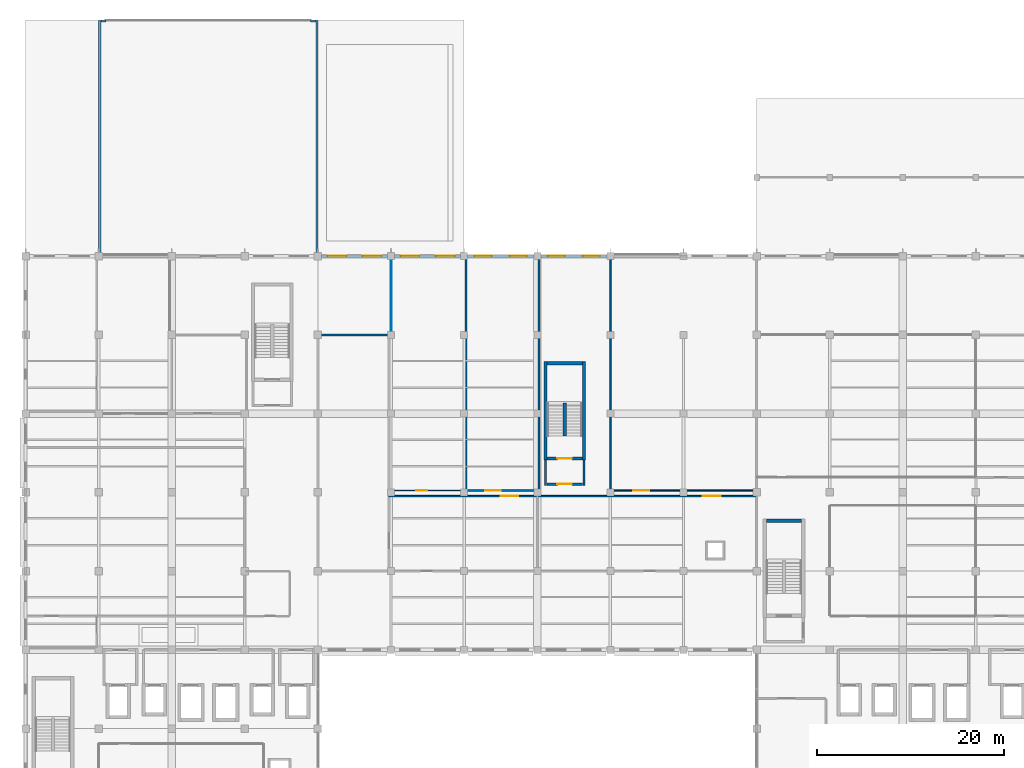
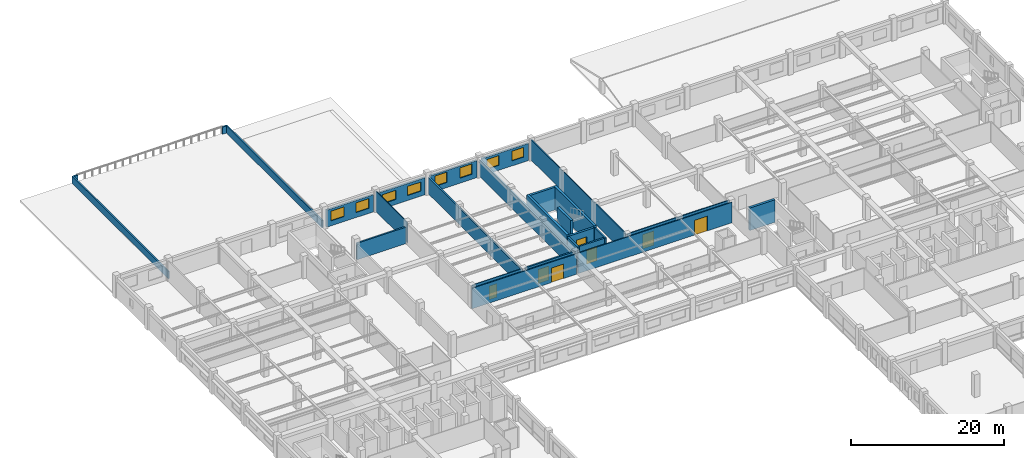
# One storey, part 44 of 50: 27 walls, 8 windows, 7 doors, 15 openings.
"""IFC4 building model written with IfcOpenShell, lengths in metres."""

from ifc_helpers import new_model, si_unit, direction, frame, frame_2d, origin, place, context, subcontext, project, spatial, rectangle, extrude, material, layer, layer_set, type_object, element, fill, save


model = new_model("IFC4")

# Units and contexts
model_context = context("Model", 3, precision=1e-05, world=origin(), true_north=direction((0.0, 1.0)))
body_context = subcontext(model_context, "Body", "Model", "MODEL_VIEW")
ifc_project = project(units=[si_unit("LENGTHUNIT", "METRE"), si_unit("AREAUNIT", "SQUARE_METRE"), si_unit("VOLUMEUNIT", "CUBIC_METRE"), si_unit("PLANEANGLEUNIT", "RADIAN"), si_unit("MASSUNIT", "GRAM", prefix="KILO"), si_unit("THERMODYNAMICTEMPERATUREUNIT", "KELVIN"), si_unit("POWERUNIT", "WATT")], contexts=[model_context])

# Site, building, storey
site_placement = place(None, origin())
site = spatial("IfcSite", under=ifc_project, at=site_placement, CompositionType="ELEMENT")
building_placement = place(site_placement, origin())
building = spatial("IfcBuilding", under=site, at=building_placement, Name="Srebrne Nadtorze General Hospital", CompositionType="ELEMENT")
storey_placement = place(building_placement, frame((0.0, 0.0, 14.39990234375)))
storey = spatial("IfcBuildingStorey", under=building, at=storey_placement, Name="L03", CompositionType="ELEMENT", Elevation=14.39990234375)

# Wall, opening, door
ifc_material_1 = material(Name="Gypsum Healthcare Partition")
ifc_layer_1 = layer(ifc_material_1, 0.139892578125)
ifc_layer_set_1 = layer_set([ifc_layer_1], Name="Gypsum Healthcare Partition")
wall_type_1 = type_object("IfcWallType", Name="Clinical partition 140", PredefinedType="PARTITIONING", material=ifc_layer_set_1)
wall_1_placement = place(storey_placement, frame((85.885009765625, 67.39990234375, 0.0), z_axis=(0.0, 0.0, 1.0), x_axis=(1.0, 0.0, 0.0)))
wall_1 = element("IfcWall", 1, at=wall_1_placement, inside=storey, type_object=wall_type_1, Name="Biomedical Clinical Engineering Workshop wall WL-INT-L03-1591", PredefinedType="PARTITIONING", context=body_context, shape_type="SweptSolid", body=[
    extrude(rectangle(XDim=15.429931640625, YDim=0.139892578125, at=frame_2d((7.71484375, 0.0))), origin(), (0.0, 0.0, 1.0), 3.25),
])
opening_1_placement = place(wall_1_placement, frame((2.3310546875, 0.0, 0.0)))
opening_1 = element("IfcOpeningElement", 2, at=opening_1_placement, cuts=wall_1, Name="Opening D-L03-0262", PredefinedType="OPENING", context=body_context, shape_type="SweptSolid", body=[
    extrude(rectangle(XDim=1.75, YDim=2.300048828125, at=frame_2d((0.875, 1.14990234375))), frame((0.0, 0.08203125, 0.0), z_axis=(0.0, -1.0, 0.0), x_axis=(1.0, 0.0, 0.0)), (0.0, 0.0, 1.0), 0.163818359375),
])
ifc_material_2 = material(Name="Anodised Aluminium", Category="aluminium")
door_type_1 = type_object("IfcDoorType", Name="Double leaf door 1750x2300", OperationType="DOUBLE_DOOR_SINGLE_SWING", PredefinedType="DOOR", material=ifc_material_2)
door_1_placement = place(opening_1_placement, origin())
door_1 = element("IfcDoor", 3, at=door_1_placement, inside=storey, type_object=door_type_1, Name="Biomedical Clinical Engineering Workshop door D-L03-0262", OperationType="DOUBLE_DOOR_SINGLE_SWING", OverallHeight=2.300048828125, OverallWidth=1.75, PredefinedType="DOOR", context=body_context, shape_type="SweptSolid", body=[
    extrude(rectangle(XDim=1.75, YDim=2.300048828125, at=frame_2d((0.875, 1.14990234375))), frame((0.0, 0.02490234375, 0.0), z_axis=(0.0, -1.0, 0.0), x_axis=(1.0, 0.0, 0.0)), (0.0, 0.0, 1.0), 0.050048828125),
])
fill(opening_1, door_1)

# Wall
wall_2_placement = place(storey_placement, frame((85.800048828125, 67.485107421875, 0.0), z_axis=(0.0, 0.0, 1.0), x_axis=(0.0, 1.0, 0.0)))
element("IfcWall", 4, at=wall_2_placement, inside=storey, type_object=wall_type_1, Name="Biomedical Clinical Engineering Workshop wall WL-INT-L03-1593", PredefinedType="PARTITIONING", context=body_context, shape_type="SweptSolid", body=[
    extrude(rectangle(XDim=24.829833984375, YDim=0.139892578125, at=frame_2d((12.4150390625, 0.0))), origin(), (0.0, 0.0, 1.0), 3.25),
])

# Wall, opening, door
wall_3_placement = place(storey_placement, frame((78.0849609375, 66.800048828125, 0.0), z_axis=(0.0, 0.0, 1.0), x_axis=(1.0, 0.0, 0.0)))
wall_3 = element("IfcWall", 5, at=wall_3_placement, inside=storey, type_object=wall_type_1, Name="Clinical Perfusion Preparation Unit wall WL-INT-L03-1653", PredefinedType="PARTITIONING", context=body_context, shape_type="SweptSolid", body=[
    extrude(rectangle(XDim=23.22998046875, YDim=0.139892578125, at=frame_2d((11.614990234375, 0.0))), origin(), (0.0, 0.0, 1.0), 3.25),
])
opening_2_placement = place(wall_3_placement, frame((17.566650390625, 0.0, 0.0)))
opening_2 = element("IfcOpeningElement", 6, at=opening_2_placement, cuts=wall_3, Name="Opening D-L03-0280", PredefinedType="OPENING", context=body_context, shape_type="SweptSolid", body=[
    extrude(rectangle(XDim=1.949951171875, YDim=2.35009765625, at=frame_2d((0.97509765625, 1.175048828125))), frame((0.0, 0.08203125, 0.0), z_axis=(0.0, -1.0, 0.0), x_axis=(1.0, 0.0, 0.0)), (0.0, 0.0, 1.0), 0.163818359375),
])
ifc_material_3 = material(Name="Anodised Aluminium", Category="aluminium")
door_type_2 = type_object("IfcDoorType", Name="Double leaf door 1950x2350", OperationType="DOUBLE_DOOR_SINGLE_SWING", PredefinedType="DOOR", material=ifc_material_3)
door_2_placement = place(opening_2_placement, frame((1.949951171875, 0.0, 0.0), z_axis=(0.0, 0.0, 1.0), x_axis=(-1.0, 0.0, 0.0)))
door_2 = element("IfcDoor", 7, at=door_2_placement, inside=storey, type_object=door_type_2, Name="Clinical Perfusion Preparation Unit door D-L03-0280", OperationType="DOUBLE_DOOR_SINGLE_SWING", OverallHeight=2.35009765625, OverallWidth=1.949951171875, PredefinedType="DOOR", context=body_context, shape_type="SweptSolid", body=[
    extrude(rectangle(XDim=1.949951171875, YDim=2.35009765625, at=frame_2d((0.97509765625, 1.175048828125))), frame((0.0, 0.02490234375, 0.0), z_axis=(0.0, -1.0, 0.0), x_axis=(1.0, 0.0, 0.0)), (0.0, 0.0, 1.0), 0.050048828125),
])
fill(opening_2, door_2)

ifc_material_4 = material(Name="Gypsum Healthcare Partition")
ifc_layer_2 = layer(ifc_material_4, 0.159912109375)
ifc_layer_set_2 = layer_set([ifc_layer_2], Name="Gypsum Healthcare Partition")
wall_type_2 = type_object("IfcWallType", Name="Clinical partition 160", PredefinedType="PARTITIONING", material=ifc_layer_set_2)
wall_4_placement = place(storey_placement, frame((62.135009765625, 66.800048828125, 0.0), z_axis=(0.0, 0.0, 1.0), x_axis=(1.0, 0.0, 0.0)))
wall_4 = element("IfcWall", 8, at=wall_4_placement, inside=storey, type_object=wall_type_2, Name="Surgical Endoscope Reprocessing Suite wall WL-INT-L03-1650", PredefinedType="PARTITIONING", context=body_context, shape_type="SweptSolid", body=[
    extrude(rectangle(XDim=15.780029296875, YDim=0.159912109375, at=frame_2d((7.89013671875, 0.0))), origin(), (0.0, 0.0, 1.0), 3.25),
])
opening_3_placement = place(wall_4_placement, frame((11.958251953125, 0.0, 0.0)))
opening_3 = element("IfcOpeningElement", 9, at=opening_3_placement, cuts=wall_4, Name="Opening D-L03-0279", PredefinedType="OPENING", context=body_context, shape_type="SweptSolid", body=[
    extrude(rectangle(XDim=1.85009765625, YDim=2.300048828125, at=frame_2d((0.925048828125, 1.14990234375))), frame((0.0, 0.091796875, 0.0), z_axis=(0.0, -1.0, 0.0), x_axis=(1.0, 0.0, 0.0)), (0.0, 0.0, 1.0), 0.183837890625),
])
ifc_material_5 = material(Name="Anodised Aluminium", Category="aluminium")
door_type_3 = type_object("IfcDoorType", Name="Double leaf door 1850x2300", OperationType="DOUBLE_DOOR_SINGLE_SWING", PredefinedType="DOOR", material=ifc_material_5)
door_3_placement = place(opening_3_placement, frame((1.85009765625, 0.0, 0.0), z_axis=(0.0, 0.0, 1.0), x_axis=(-1.0, 0.0, 0.0)))
door_3 = element("IfcDoor", 10, at=door_3_placement, inside=storey, type_object=door_type_3, Name="Surgical Endoscope Reprocessing Suite door D-L03-0279", OperationType="DOUBLE_DOOR_SINGLE_SWING", OverallHeight=2.300048828125, OverallWidth=1.85009765625, PredefinedType="DOOR", context=body_context, shape_type="SweptSolid", body=[
    extrude(rectangle(XDim=1.85009765625, YDim=2.300048828125, at=frame_2d((0.925048828125, 1.14990234375))), frame((0.0, 0.02490234375, 0.0), z_axis=(0.0, -1.0, 0.0), x_axis=(1.0, 0.0, 0.0)), (0.0, 0.0, 1.0), 0.050048828125),
])
fill(opening_3, door_3)

# Walls
ifc_material_6 = material(Name="Gypsum Healthcare Partition")
ifc_layer_3 = layer(ifc_material_6, 0.239990234375)
ifc_layer_set_3 = layer_set([ifc_layer_3], Name="Gypsum Healthcare Partition")
wall_type_3 = type_object("IfcWallType", Name="Corridor fire wall 240", PredefinedType="STANDARD", material=ifc_layer_set_3)
for number, where, z_axis, x_axis, name in (
    (11, (78.875, 67.955078125, 0.0), (0.0, 0.0, 1.0), (0.0, 1.0, 0.0), "Fire lobby wall ST-07 WL-INT-L03-0277"),
    (12, (82.97509765625, 67.955078125, 0.0), (0.0, 0.0, 1.0), (0.0, 1.0, 0.0), "Fire lobby wall ST-07 WL-INT-L03-0278"),
):
    element("IfcWall", number, at=place(storey_placement, frame(where, z_axis=z_axis, x_axis=x_axis)), inside=storey, type_object=wall_type_3, Name=name, PredefinedType="STANDARD", context=body_context, shape_type="SweptSolid", body=[
        extrude(rectangle(XDim=2.69482421875, YDim=0.239990234375, at=frame_2d((1.347412109375, 0.0))), origin(), (0.0, 0.0, 1.0), 3.27001953125),
    ])

# Wall, opening, door
wall_5_placement = place(storey_placement, frame((79.050048828125, 68.074951171875, 0.0), z_axis=(0.0, 0.0, 1.0), x_axis=(1.0, 0.0, 0.0)))
wall_5 = element("IfcWall", 13, at=wall_5_placement, inside=storey, type_object=wall_type_3, Name="Fire lobby entry wall ST-07 WL-INT-L03-0279", PredefinedType="STANDARD", context=body_context, shape_type="SweptSolid", body=[
    extrude(rectangle(XDim=3.75, YDim=0.239990234375, at=frame_2d((1.875, 0.0))), origin(), (0.0, 0.0, 1.0), 3.27001953125),
])
opening_4_placement = place(wall_5_placement, frame((1.10009765625, 0.0, 0.0)))
opening_4 = element("IfcOpeningElement", 14, at=opening_4_placement, cuts=wall_5, Name="Opening D-L03-0070", PredefinedType="OPENING", context=body_context, shape_type="SweptSolid", body=[
    extrude(rectangle(XDim=1.550048828125, YDim=2.25, at=frame_2d((0.77490234375, 1.125))), frame((0.0, 0.1318359375, 0.0), z_axis=(0.0, -1.0, 0.0), x_axis=(1.0, 0.0, 0.0)), (0.0, 0.0, 1.0), 0.263916015625),
])
ifc_material_7 = material(Name="Anodised Aluminium", Category="aluminium")
door_type_4 = type_object("IfcDoorType", Name="Double leaf door 1550x2250", OperationType="DOUBLE_DOOR_SINGLE_SWING", PredefinedType="DOOR", material=ifc_material_7)
door_4_placement = place(opening_4_placement, origin())
door_4 = element("IfcDoor", 15, at=door_4_placement, inside=storey, type_object=door_type_4, Name="Fire lobby door ST-07 D-L03-0070", OperationType="DOUBLE_DOOR_SINGLE_SWING", OverallHeight=2.25, OverallWidth=1.550048828125, PredefinedType="DOOR", context=body_context, shape_type="SweptSolid", body=[
    extrude(rectangle(XDim=1.550048828125, YDim=2.25, at=frame_2d((0.77490234375, 1.125))), frame((0.0, 0.02490234375, 0.0), z_axis=(0.0, -1.0, 0.0), x_axis=(1.0, 0.0, 0.0)), (0.0, 0.0, 1.0), 0.050048828125),
])
fill(opening_4, door_4)

wall_6_placement = place(storey_placement, frame((70.510009765625, 67.39990234375, 0.0), z_axis=(0.0, 0.0, 1.0), x_axis=(1.0, 0.0, 0.0)))
wall_6 = element("IfcWall", 16, at=wall_6_placement, inside=storey, type_object=wall_type_3, Name="Surgical HEPA Filtration Plant Room wall WL-INT-L03-1588", PredefinedType="STANDARD", context=body_context, shape_type="SweptSolid", body=[
    extrude(rectangle(XDim=7.554931640625, YDim=0.239990234375, at=frame_2d((3.77734375, 0.0))), origin(), (0.0, 0.0, 1.0), 3.25),
])
opening_5_placement = place(wall_6_placement, frame((1.939208984375, 0.0, 0.0)))
opening_5 = element("IfcOpeningElement", 17, at=opening_5_placement, cuts=wall_6, Name="Opening D-L03-0261", PredefinedType="OPENING", context=body_context, shape_type="SweptSolid", body=[
    extrude(rectangle(XDim=1.64990234375, YDim=2.25, at=frame_2d((0.824951171875, 1.125))), frame((0.0, 0.1318359375, 0.0), z_axis=(0.0, -1.0, 0.0), x_axis=(1.0, 0.0, 0.0)), (0.0, 0.0, 1.0), 0.263916015625),
])
ifc_material_8 = material(Name="Anodised Aluminium", Category="aluminium")
door_type_5 = type_object("IfcDoorType", Name="Double leaf door 1650x2250", OperationType="DOUBLE_DOOR_SINGLE_SWING", PredefinedType="DOOR", material=ifc_material_8)
door_5_placement = place(opening_5_placement, origin())
door_5 = element("IfcDoor", 18, at=door_5_placement, inside=storey, type_object=door_type_5, Name="Surgical HEPA Filtration Plant Room door D-L03-0261", OperationType="DOUBLE_DOOR_SINGLE_SWING", OverallHeight=2.25, OverallWidth=1.64990234375, PredefinedType="DOOR", context=body_context, shape_type="SweptSolid", body=[
    extrude(rectangle(XDim=1.64990234375, YDim=2.25, at=frame_2d((0.824951171875, 1.125))), frame((0.0, 0.02490234375, 0.0), z_axis=(0.0, -1.0, 0.0), x_axis=(1.0, 0.0, 0.0)), (0.0, 0.0, 1.0), 0.050048828125),
])
fill(opening_5, door_5)

# Walls
for number, where, z_axis, x_axis, name in (
    (19, (70.39990234375, 67.510009765625, 0.0), (0.0, 0.0, 1.0), (0.0, 1.0, 0.0), "Surgical HEPA Filtration Plant Room wall WL-INT-L03-1589"),
    (20, (78.175048828125, 67.510009765625, 0.0), (0.0, 0.0, 1.0), (0.0, 1.0, 0.0), "Surgical HEPA Filtration Plant Room wall WL-INT-L03-1590"),
):
    element("IfcWall", number, at=place(storey_placement, frame(where, z_axis=z_axis, x_axis=x_axis)), inside=storey, type_object=wall_type_3, Name=name, PredefinedType="STANDARD", context=body_context, shape_type="SweptSolid", body=[
        extrude(rectangle(XDim=24.780029296875, YDim=0.239990234375, at=frame_2d((12.39013671875, 0.0))), origin(), (0.0, 0.0, 1.0), 2.6201171875),
    ])
wall_7_placement = place(storey_placement, frame((54.7099609375, 84.0, 0.0), z_axis=(0.0, 0.0, 1.0), x_axis=(1.0, 0.0, 0.0)))
element("IfcWall", 21, at=wall_7_placement, inside=storey, type_object=wall_type_3, Name="Sterile Autoclave Preparation Suite wall WL-INT-L03-1597", PredefinedType="STANDARD", context=body_context, shape_type="SweptSolid", body=[
    extrude(rectangle(XDim=7.380126953125, YDim=0.239990234375, at=frame_2d((3.68994140625, 0.0))), origin(), (0.0, 0.0, 1.0), 2.6201171875),
])
ifc_material_9 = material(Name="Concrete C35/45 precast", Category="concrete")
ifc_layer_4 = layer(ifc_material_9, 0.219970703125)
ifc_layer_set_4 = layer_set([ifc_layer_4], Name="Concrete C35/45 precast")
wall_type_4 = type_object("IfcWallType", Name="Roof parapet wall 220", PredefinedType="PARAPET", material=ifc_layer_set_4)
for number, where, z_axis, x_axis, name in (
    (22, (31.320068359375, 92.449951171875, 0.0), (0.0, 0.0, 1.0), (0.0, 1.0, 0.0), "Terrace divider parapet WP-TER-L03-01"),
    (23, (54.47998046875, 92.449951171875, 0.0), (0.0, 0.0, 1.0), (0.0, 1.0, 0.0), "Terrace divider parapet WP-TER-L03-02"),
):
    element("IfcWall", number, at=place(storey_placement, frame(where, z_axis=z_axis, x_axis=x_axis)), inside=storey, type_object=wall_type_4, Name=name, PredefinedType="PARAPET", context=body_context, shape_type="SweptSolid", body=[
        extrude(rectangle(XDim=25.10009765625, YDim=0.219970703125, at=frame_2d((12.550048828125, 0.0))), origin(), (0.0, 0.0, 1.0), 1.150146484375),
    ])
for number, where, z_axis, x_axis, name in (
    (24, (31.429931640625, 117.47998046875, 0.0), (0.0, 0.0, 1.0), (1.0, 0.0, 0.0), "Terrace divider parapet WP-TER-L03-03"),
    (25, (53.800048828125, 117.47998046875, 0.0), (0.0, 0.0, 1.0), (1.0, 0.0, 0.0), "Terrace divider parapet WP-TER-L03-04"),
):
    element("IfcWall", number, at=place(storey_placement, frame(where, z_axis=z_axis, x_axis=x_axis)), inside=storey, type_object=wall_type_4, Name=name, PredefinedType="PARAPET", context=body_context, shape_type="SweptSolid", body=[
        extrude(rectangle(XDim=0.570068359375, YDim=0.219970703125, at=frame_2d((0.28515625, 0.0))), origin(), (0.0, 0.0, 1.0), 1.150146484375),
    ])

# Wall, opening, door
ifc_material_10 = material(Name="Gypsum Healthcare Partition")
ifc_layer_5 = layer(ifc_material_10, 0.10009765625)
ifc_layer_set_5 = layer_set([ifc_layer_5], Name="Gypsum Healthcare Partition")
wall_type_5 = type_object("IfcWallType", Name="Shaft lining wall 100", PredefinedType="PARTITIONING", material=ifc_layer_set_5)
wall_8_placement = place(storey_placement, frame((62.485107421875, 67.39990234375, 0.0), z_axis=(0.0, 0.0, 1.0), x_axis=(1.0, 0.0, 0.0)))
wall_8 = element("IfcWall", 26, at=wall_8_placement, inside=storey, type_object=wall_type_5, Name="Surgical Instrument Sterilization Lab wall WL-INT-L03-1630", PredefinedType="PARTITIONING", context=body_context, shape_type="SweptSolid", body=[
    extrude(rectangle(XDim=7.6298828125, YDim=0.10009765625, at=frame_2d((3.81494140625, 0.0))), origin(), (0.0, 0.0, 1.0), 3.25),
])
opening_6_placement = place(wall_8_placement, frame((2.587158203125, 0.0, 0.0)))
opening_6 = element("IfcOpeningElement", 27, at=opening_6_placement, cuts=wall_8, Name="Opening D-L03-0272", PredefinedType="OPENING", context=body_context, shape_type="SweptSolid", body=[
    extrude(rectangle(XDim=1.179931640625, YDim=2.199951171875, at=frame_2d((0.58984375, 1.10009765625))), frame((0.0, 0.06201171875, 0.0), z_axis=(0.0, -1.0, 0.0), x_axis=(1.0, 0.0, 0.0)), (0.0, 0.0, 1.0), 0.1240234375),
])
ifc_material_11 = material(Name="Anodised Aluminium", Category="aluminium")
door_type_6 = type_object("IfcDoorType", Name="Single leaf door 1180x2200", OperationType="NOTDEFINED", PredefinedType="DOOR", material=ifc_material_11)
door_6_placement = place(opening_6_placement, origin())
door_6 = element("IfcDoor", 28, at=door_6_placement, inside=storey, type_object=door_type_6, Name="Surgical Instrument Sterilization Lab door D-L03-0272", OperationType="SINGLE_SWING_LEFT", OverallHeight=2.199951171875, OverallWidth=1.179931640625, PredefinedType="DOOR", context=body_context, shape_type="SweptSolid", body=[
    extrude(rectangle(XDim=1.179931640625, YDim=2.199951171875, at=frame_2d((0.58984375, 1.10009765625))), frame((0.0, 0.02490234375, 0.0), z_axis=(0.0, -1.0, 0.0), x_axis=(1.0, 0.0, 0.0)), (0.0, 0.0, 1.0), 0.050048828125),
])
fill(opening_6, door_6)

# Walls
wall_9_placement = place(storey_placement, frame((62.39990234375, 83.929931640625, 0.0), z_axis=(0.0, 0.0, 1.0), x_axis=(0.0, 1.0, 0.0)))
element("IfcWall", 29, at=wall_9_placement, inside=storey, type_object=wall_type_5, Name="Surgical Instrument Sterilization Lab wall WL-INT-L03-1631", PredefinedType="PARTITIONING", context=body_context, shape_type="SweptSolid", body=[
    extrude(rectangle(XDim=8.385009765625, YDim=0.10009765625, at=frame_2d((4.1923828125, 0.0))), origin(), (0.0, 0.0, 1.0), 3.25),
])
ifc_material_12 = material(Name="Concrete C40/50", Category="concrete")
ifc_layer_6 = layer(ifc_material_12, 0.35009765625)
ifc_layer_set_6 = layer_set([ifc_layer_6], Name="Concrete C40/50")
wall_type_6 = type_object("IfcWallType", Name="Shear core wall 350", PredefinedType="SHEAR", material=ifc_layer_set_6)
wall_10_placement = place(storey_placement, frame((102.449951171875, 64.175048828125, 0.0), z_axis=(0.0, 0.0, 1.0), x_axis=(1.0, 0.0, 0.0)))
element("IfcWall", 30, at=wall_10_placement, inside=storey, type_object=wall_type_6, Name="Stair core wall ST-03 WL-INT-L03-0259", PredefinedType="SHEAR", context=body_context, shape_type="SweptSolid", body=[
    extrude(rectangle(XDim=3.75, YDim=0.35009765625, at=frame_2d((1.875, 0.0))), origin(), (0.0, 0.0, 1.0), 3.60009765625),
])
for number, where, z_axis, x_axis, name in (
    (31, (78.875, 70.64990234375, 0.0), (0.0, 0.0, 1.0), (0.0, 1.0, 0.0), "Stair core wall ST-07 WL-INT-L03-0273"),
    (32, (82.97509765625, 70.64990234375, 0.0), (0.0, 0.0, 1.0), (0.0, 1.0, 0.0), "Stair core wall ST-07 WL-INT-L03-0274"),
):
    element("IfcWall", number, at=place(storey_placement, frame(where, z_axis=z_axis, x_axis=x_axis)), inside=storey, type_object=wall_type_6, Name=name, PredefinedType="SHEAR", context=body_context, shape_type="SweptSolid", body=[
        extrude(rectangle(XDim=10.5, YDim=0.35009765625, at=frame_2d((5.25, 0.0))), origin(), (0.0, 0.0, 1.0), 3.60009765625),
    ])
wall_11_placement = place(storey_placement, frame((79.050048828125, 80.97509765625, 0.0), z_axis=(0.0, 0.0, 1.0), x_axis=(1.0, 0.0, 0.0)))
element("IfcWall", 33, at=wall_11_placement, inside=storey, type_object=wall_type_6, Name="Stair core wall ST-07 WL-INT-L03-0275", PredefinedType="SHEAR", context=body_context, shape_type="SweptSolid", body=[
    extrude(rectangle(XDim=3.75, YDim=0.35009765625, at=frame_2d((1.875, 0.0))), origin(), (0.0, 0.0, 1.0), 3.60009765625),
])

# Wall, opening, door
wall_12_placement = place(storey_placement, frame((79.050048828125, 70.824951171875, 0.0), z_axis=(0.0, 0.0, 1.0), x_axis=(1.0, 0.0, 0.0)))
wall_12 = element("IfcWall", 34, at=wall_12_placement, inside=storey, type_object=wall_type_6, Name="Stairwell fire wall ST-07 WL-INT-L03-0276", PredefinedType="SHEAR", context=body_context, shape_type="SweptSolid", body=[
    extrude(rectangle(XDim=3.75, YDim=0.35009765625, at=frame_2d((1.875, 0.0))), origin(), (0.0, 0.0, 1.0), 3.27001953125),
])
opening_7_placement = place(wall_12_placement, frame((1.10009765625, 0.0, 0.0)))
opening_7 = element("IfcOpeningElement", 35, at=opening_7_placement, cuts=wall_12, Name="Opening D-L03-0069", PredefinedType="OPENING", context=body_context, shape_type="SweptSolid", body=[
    extrude(rectangle(XDim=1.550048828125, YDim=2.25, at=frame_2d((0.77490234375, 1.125))), frame((0.0, 0.18701171875, 0.0), z_axis=(0.0, -1.0, 0.0), x_axis=(1.0, 0.0, 0.0)), (0.0, 0.0, 1.0), 0.3740234375),
])
door_7_placement = place(opening_7_placement, origin())
door_7 = element("IfcDoor", 36, at=door_7_placement, inside=storey, type_object=door_type_4, Name="Protected stair door ST-07 D-L03-0069", OperationType="DOUBLE_DOOR_SINGLE_SWING", OverallHeight=2.25, OverallWidth=1.550048828125, PredefinedType="DOOR", context=body_context, shape_type="SweptSolid", body=[
    extrude(rectangle(XDim=1.550048828125, YDim=2.25, at=frame_2d((0.77490234375, 1.125))), frame((0.0, 0.02490234375, 0.0), z_axis=(0.0, -1.0, 0.0), x_axis=(1.0, 0.0, 0.0)), (0.0, 0.0, 1.0), 0.050048828125),
])
fill(opening_7, door_7)

# Wall
wall_13_placement = place(storey_placement, frame((80.925048828125, 73.199951171875, 0.0), z_axis=(0.0, 0.0, 1.0), x_axis=(0.0, 1.0, 0.0)))
element("IfcWall", 37, at=wall_13_placement, inside=storey, type_object=wall_type_6, Name="Stair spine wall ST-07 WL-INT-L03-0280", PredefinedType="SHEAR", context=body_context, shape_type="SweptSolid", body=[
    extrude(rectangle(XDim=3.52001953125, YDim=0.35009765625, at=frame_2d((1.760009765625, 0.0))), origin(), (0.0, 0.0, 1.0), 3.60009765625),
])

# Wall, openings, windows
ifc_material_13 = material(Name="Concrete C35/45 precast", Category="concrete")
ifc_layer_7 = layer(ifc_material_13, 0.280029296875)
ifc_layer_set_7 = layer_set([ifc_layer_7], Name="Concrete C35/45 precast")
wall_type_7 = type_object("IfcWallType", Name="Spandrel wall 280", PredefinedType="STANDARD", material=ifc_layer_set_7)
wall_14_placement = place(storey_placement, frame((55.0, 92.39990234375, 0.0), z_axis=(0.0, 0.0, 1.0), x_axis=(1.0, 0.0, 0.0)))
wall_14 = element("IfcWall", 38, at=wall_14_placement, inside=storey, type_object=wall_type_7, Name="Exterior wall WL-ENV-L03-0302", PredefinedType="STANDARD", context=body_context, shape_type="SweptSolid", body=[
    extrude(rectangle(XDim=7.02490234375, YDim=0.280029296875, at=frame_2d((3.512451171875, 0.0))), origin(), (0.0, 0.0, 1.0), 2.72021484375),
])
opening_8_placement = place(wall_14_placement, frame((0.6279296875, 0.0, 0.800048828125)))
opening_8 = element("IfcOpeningElement", 39, at=opening_8_placement, cuts=wall_14, Name="Opening WN-L03-0427", PredefinedType="OPENING", context=body_context, shape_type="SweptSolid", body=[
    extrude(rectangle(XDim=2.0, YDim=1.550048828125, at=frame_2d((1.0, 0.77490234375))), frame((0.0, 0.15185546875, 0.0), z_axis=(0.0, -1.0, 0.0), x_axis=(1.0, 0.0, 0.0)), (0.0, 0.0, 1.0), 0.303955078125),
])
opening_9_placement = place(wall_14_placement, frame((4.3720703125, 0.0, 0.800048828125)))
opening_9 = element("IfcOpeningElement", 40, at=opening_9_placement, cuts=wall_14, Name="Opening WN-L03-0428", PredefinedType="OPENING", context=body_context, shape_type="SweptSolid", body=[
    extrude(rectangle(XDim=2.0, YDim=1.550048828125, at=frame_2d((1.0, 0.77490234375))), frame((0.0, 0.15185546875, 0.0), z_axis=(0.0, -1.0, 0.0), x_axis=(1.0, 0.0, 0.0)), (0.0, 0.0, 1.0), 0.303955078125),
])
ifc_material_14 = material(Name="Triple Low-E Glazing", Category="glass")
window_type_1 = type_object("IfcWindowType", Name="Punched clinical window 2000x1550", PartitioningType="DOUBLE_PANEL_VERTICAL", PredefinedType="WINDOW", material=ifc_material_14)
window_1_placement = place(opening_8_placement, origin())
window_1 = element("IfcWindow", 41, at=window_1_placement, inside=storey, type_object=window_type_1, Name="Clinical window WN-L03-0427", OverallHeight=1.550048828125, OverallWidth=2.0, PartitioningType="DOUBLE_PANEL_VERTICAL", PredefinedType="WINDOW", context=body_context, shape_type="SweptSolid", body=[
    extrude(rectangle(XDim=2.0, YDim=1.550048828125, at=frame_2d((1.0, 0.77490234375))), frame((0.0, 0.030029296875, 0.0), z_axis=(0.0, -1.0, 0.0), x_axis=(1.0, 0.0, 0.0)), (0.0, 0.0, 1.0), 0.06005859375),
])
fill(opening_8, window_1)
window_2_placement = place(opening_9_placement, origin())
window_2 = element("IfcWindow", 42, at=window_2_placement, inside=storey, type_object=window_type_1, Name="Clinical window WN-L03-0428", OverallHeight=1.550048828125, OverallWidth=2.0, PartitioningType="DOUBLE_PANEL_VERTICAL", PredefinedType="WINDOW", context=body_context, shape_type="SweptSolid", body=[
    extrude(rectangle(XDim=2.0, YDim=1.550048828125, at=frame_2d((1.0, 0.77490234375))), frame((0.0, 0.030029296875, 0.0), z_axis=(0.0, -1.0, 0.0), x_axis=(1.0, 0.0, 0.0)), (0.0, 0.0, 1.0), 0.06005859375),
])
fill(opening_9, window_2)

wall_15_placement = place(storey_placement, frame((62.77490234375, 92.39990234375, 0.0), z_axis=(0.0, 0.0, 1.0), x_axis=(1.0, 0.0, 0.0)))
wall_15 = element("IfcWall", 43, at=wall_15_placement, inside=storey, type_object=wall_type_7, Name="Exterior wall WL-ENV-L03-0303", PredefinedType="STANDARD", context=body_context, shape_type="SweptSolid", body=[
    extrude(rectangle(XDim=7.050048828125, YDim=0.280029296875, at=frame_2d((3.52490234375, 0.0))), origin(), (0.0, 0.0, 1.0), 2.72021484375),
])
opening_10_placement = place(wall_15_placement, frame((0.653076171875, 0.0, 0.800048828125)))
opening_10 = element("IfcOpeningElement", 44, at=opening_10_placement, cuts=wall_15, Name="Opening WN-L03-0429", PredefinedType="OPENING", context=body_context, shape_type="SweptSolid", body=[
    extrude(rectangle(XDim=2.0, YDim=1.449951171875, at=frame_2d((1.0, 0.72509765625))), frame((0.0, 0.15185546875, 0.0), z_axis=(0.0, -1.0, 0.0), x_axis=(1.0, 0.0, 0.0)), (0.0, 0.0, 1.0), 0.303955078125),
])
opening_11_placement = place(wall_15_placement, frame((4.39697265625, 0.0, 0.800048828125)))
opening_11 = element("IfcOpeningElement", 45, at=opening_11_placement, cuts=wall_15, Name="Opening WN-L03-0430", PredefinedType="OPENING", context=body_context, shape_type="SweptSolid", body=[
    extrude(rectangle(XDim=2.0, YDim=1.449951171875, at=frame_2d((1.0, 0.72509765625))), frame((0.0, 0.15185546875, 0.0), z_axis=(0.0, -1.0, 0.0), x_axis=(1.0, 0.0, 0.0)), (0.0, 0.0, 1.0), 0.303955078125),
])
ifc_material_15 = material(Name="Triple Low-E Glazing", Category="glass")
window_type_2 = type_object("IfcWindowType", Name="Punched clinical window 2000x1450", PartitioningType="DOUBLE_PANEL_VERTICAL", PredefinedType="WINDOW", material=ifc_material_15)
window_3_placement = place(opening_10_placement, origin())
window_3 = element("IfcWindow", 46, at=window_3_placement, inside=storey, type_object=window_type_2, Name="Clinical window WN-L03-0429", OverallHeight=1.449951171875, OverallWidth=2.0, PartitioningType="DOUBLE_PANEL_VERTICAL", PredefinedType="WINDOW", context=body_context, shape_type="SweptSolid", body=[
    extrude(rectangle(XDim=2.0, YDim=1.449951171875, at=frame_2d((1.0, 0.72509765625))), frame((0.0, 0.030029296875, 0.0), z_axis=(0.0, -1.0, 0.0), x_axis=(1.0, 0.0, 0.0)), (0.0, 0.0, 1.0), 0.06005859375),
])
fill(opening_10, window_3)
window_4_placement = place(opening_11_placement, origin())
window_4 = element("IfcWindow", 47, at=window_4_placement, inside=storey, type_object=window_type_2, Name="Clinical window WN-L03-0430", OverallHeight=1.449951171875, OverallWidth=2.0, PartitioningType="DOUBLE_PANEL_VERTICAL", PredefinedType="WINDOW", context=body_context, shape_type="SweptSolid", body=[
    extrude(rectangle(XDim=2.0, YDim=1.449951171875, at=frame_2d((1.0, 0.72509765625))), frame((0.0, 0.030029296875, 0.0), z_axis=(0.0, -1.0, 0.0), x_axis=(1.0, 0.0, 0.0)), (0.0, 0.0, 1.0), 0.06005859375),
])
fill(opening_11, window_4)

wall_16_placement = place(storey_placement, frame((70.574951171875, 92.39990234375, 0.0), z_axis=(0.0, 0.0, 1.0), x_axis=(1.0, 0.0, 0.0)))
wall_16 = element("IfcWall", 48, at=wall_16_placement, inside=storey, type_object=wall_type_7, Name="Exterior wall WL-ENV-L03-0304", PredefinedType="STANDARD", context=body_context, shape_type="SweptSolid", body=[
    extrude(rectangle(XDim=7.050048828125, YDim=0.280029296875, at=frame_2d((3.52490234375, 0.0))), origin(), (0.0, 0.0, 1.0), 2.72021484375),
])
opening_12_placement = place(wall_16_placement, frame((0.7529296875, 0.0, 0.800048828125)))
opening_12 = element("IfcOpeningElement", 49, at=opening_12_placement, cuts=wall_16, Name="Opening WN-L03-0431", PredefinedType="OPENING", context=body_context, shape_type="SweptSolid", body=[
    extrude(rectangle(XDim=1.800048828125, YDim=1.64990234375, at=frame_2d((0.89990234375, 0.824951171875))), frame((0.0, 0.15185546875, 0.0), z_axis=(0.0, -1.0, 0.0), x_axis=(1.0, 0.0, 0.0)), (0.0, 0.0, 1.0), 0.303955078125),
])
opening_13_placement = place(wall_16_placement, frame((4.4970703125, 0.0, 0.800048828125)))
opening_13 = element("IfcOpeningElement", 50, at=opening_13_placement, cuts=wall_16, Name="Opening WN-L03-0432", PredefinedType="OPENING", context=body_context, shape_type="SweptSolid", body=[
    extrude(rectangle(XDim=1.800048828125, YDim=1.64990234375, at=frame_2d((0.89990234375, 0.824951171875))), frame((0.0, 0.15185546875, 0.0), z_axis=(0.0, -1.0, 0.0), x_axis=(1.0, 0.0, 0.0)), (0.0, 0.0, 1.0), 0.303955078125),
])
ifc_material_16 = material(Name="Triple Low-E Glazing", Category="glass")
window_type_3 = type_object("IfcWindowType", Name="Punched clinical window 1800x1650", PartitioningType="DOUBLE_PANEL_VERTICAL", PredefinedType="WINDOW", material=ifc_material_16)
window_5_placement = place(opening_12_placement, origin())
window_5 = element("IfcWindow", 51, at=window_5_placement, inside=storey, type_object=window_type_3, Name="Clinical window WN-L03-0431", OverallHeight=1.64990234375, OverallWidth=1.800048828125, PartitioningType="DOUBLE_PANEL_VERTICAL", PredefinedType="WINDOW", context=body_context, shape_type="SweptSolid", body=[
    extrude(rectangle(XDim=1.800048828125, YDim=1.64990234375, at=frame_2d((0.89990234375, 0.824951171875))), frame((0.0, 0.030029296875, 0.0), z_axis=(0.0, -1.0, 0.0), x_axis=(1.0, 0.0, 0.0)), (0.0, 0.0, 1.0), 0.06005859375),
])
fill(opening_12, window_5)
window_6_placement = place(opening_13_placement, origin())
window_6 = element("IfcWindow", 52, at=window_6_placement, inside=storey, type_object=window_type_3, Name="Clinical window WN-L03-0432", OverallHeight=1.64990234375, OverallWidth=1.800048828125, PartitioningType="DOUBLE_PANEL_VERTICAL", PredefinedType="WINDOW", context=body_context, shape_type="SweptSolid", body=[
    extrude(rectangle(XDim=1.800048828125, YDim=1.64990234375, at=frame_2d((0.89990234375, 0.824951171875))), frame((0.0, 0.030029296875, 0.0), z_axis=(0.0, -1.0, 0.0), x_axis=(1.0, 0.0, 0.0)), (0.0, 0.0, 1.0), 0.06005859375),
])
fill(opening_13, window_6)

wall_17_placement = place(storey_placement, frame((78.375, 92.39990234375, 0.0), z_axis=(0.0, 0.0, 1.0), x_axis=(1.0, 0.0, 0.0)))
wall_17 = element("IfcWall", 53, at=wall_17_placement, inside=storey, type_object=wall_type_7, Name="Exterior wall WL-ENV-L03-0305", PredefinedType="STANDARD", context=body_context, shape_type="SweptSolid", body=[
    extrude(rectangle(XDim=7.050048828125, YDim=0.280029296875, at=frame_2d((3.52490234375, 0.0))), origin(), (0.0, 0.0, 1.0), 2.72021484375),
])
opening_14_placement = place(wall_17_placement, frame((0.7529296875, 0.0, 0.800048828125)))
opening_14 = element("IfcOpeningElement", 54, at=opening_14_placement, cuts=wall_17, Name="Opening WN-L03-0433", PredefinedType="OPENING", context=body_context, shape_type="SweptSolid", body=[
    extrude(rectangle(XDim=1.800048828125, YDim=1.550048828125, at=frame_2d((0.89990234375, 0.77490234375))), frame((0.0, 0.15185546875, 0.0), z_axis=(0.0, -1.0, 0.0), x_axis=(1.0, 0.0, 0.0)), (0.0, 0.0, 1.0), 0.303955078125),
])
opening_15_placement = place(wall_17_placement, frame((4.4970703125, 0.0, 0.800048828125)))
opening_15 = element("IfcOpeningElement", 55, at=opening_15_placement, cuts=wall_17, Name="Opening WN-L03-0434", PredefinedType="OPENING", context=body_context, shape_type="SweptSolid", body=[
    extrude(rectangle(XDim=1.800048828125, YDim=1.550048828125, at=frame_2d((0.89990234375, 0.77490234375))), frame((0.0, 0.15185546875, 0.0), z_axis=(0.0, -1.0, 0.0), x_axis=(1.0, 0.0, 0.0)), (0.0, 0.0, 1.0), 0.303955078125),
])
ifc_material_17 = material(Name="Triple Low-E Glazing", Category="glass")
window_type_4 = type_object("IfcWindowType", Name="Punched clinical window 1800x1550", PartitioningType="DOUBLE_PANEL_VERTICAL", PredefinedType="WINDOW", material=ifc_material_17)
window_7_placement = place(opening_14_placement, origin())
window_7 = element("IfcWindow", 56, at=window_7_placement, inside=storey, type_object=window_type_4, Name="Clinical window WN-L03-0433", OverallHeight=1.550048828125, OverallWidth=1.800048828125, PartitioningType="DOUBLE_PANEL_VERTICAL", PredefinedType="WINDOW", context=body_context, shape_type="SweptSolid", body=[
    extrude(rectangle(XDim=1.800048828125, YDim=1.550048828125, at=frame_2d((0.89990234375, 0.77490234375))), frame((0.0, 0.030029296875, 0.0), z_axis=(0.0, -1.0, 0.0), x_axis=(1.0, 0.0, 0.0)), (0.0, 0.0, 1.0), 0.06005859375),
])
fill(opening_14, window_7)
window_8_placement = place(opening_15_placement, origin())
window_8 = element("IfcWindow", 57, at=window_8_placement, inside=storey, type_object=window_type_4, Name="Clinical window WN-L03-0434", OverallHeight=1.550048828125, OverallWidth=1.800048828125, PartitioningType="DOUBLE_PANEL_VERTICAL", PredefinedType="WINDOW", context=body_context, shape_type="SweptSolid", body=[
    extrude(rectangle(XDim=1.800048828125, YDim=1.550048828125, at=frame_2d((0.89990234375, 0.77490234375))), frame((0.0, 0.030029296875, 0.0), z_axis=(0.0, -1.0, 0.0), x_axis=(1.0, 0.0, 0.0)), (0.0, 0.0, 1.0), 0.06005859375),
])
fill(opening_15, window_8)

save(model, "model.ifc")
